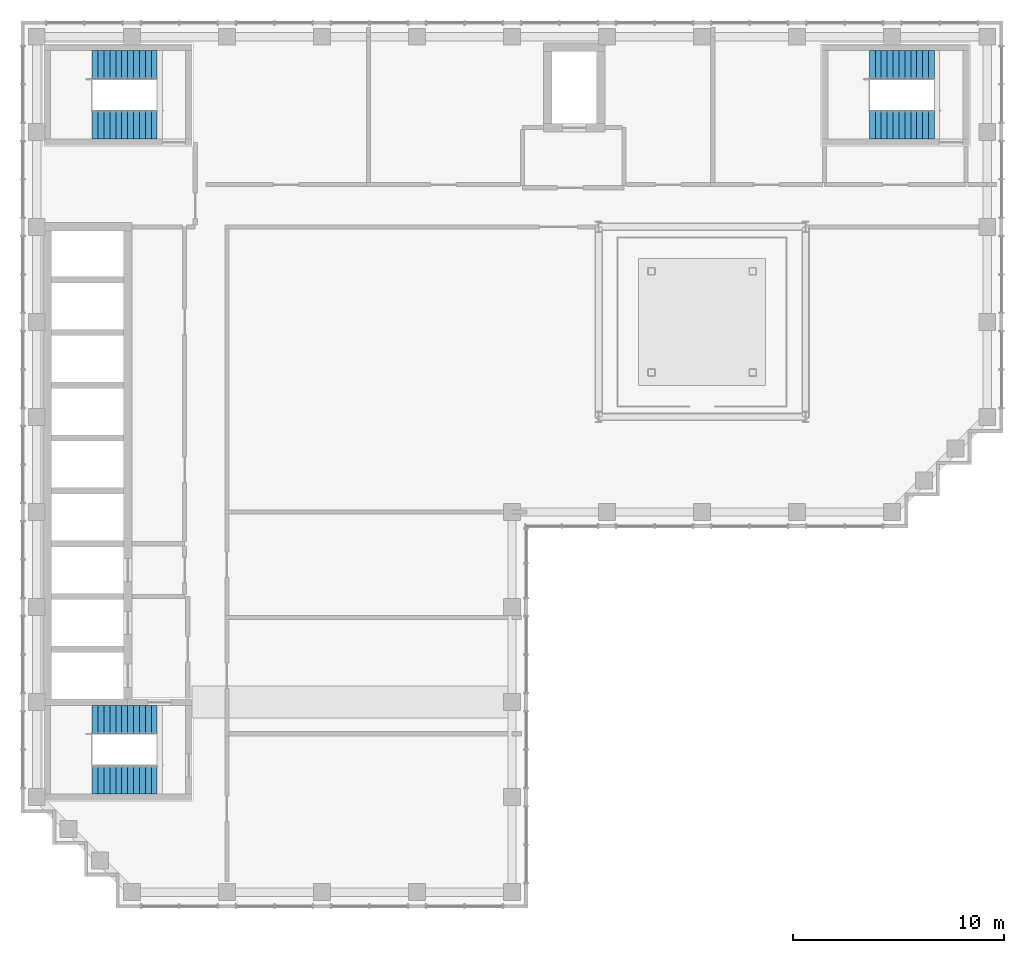
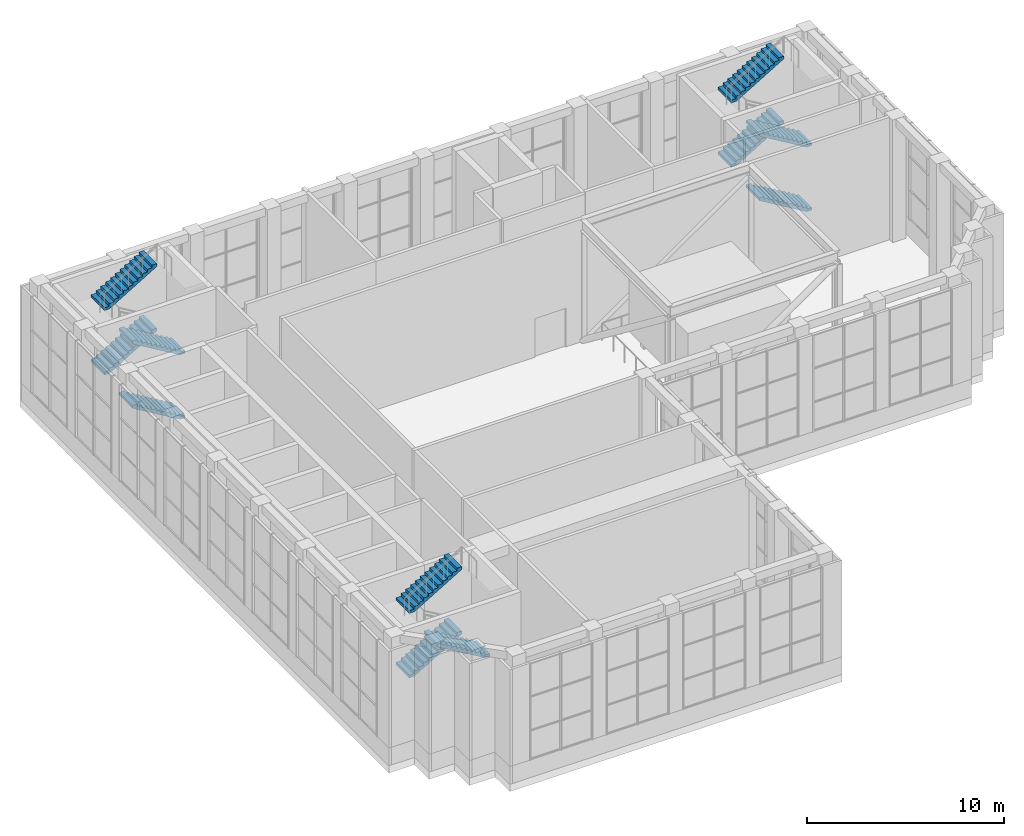
# One storey, part 15 of 17: 11 stair flights, 3 elements without a shape of their own.
"""IFC4 building model written with IfcOpenShell, lengths in metres."""

from ifc_helpers import new_model, si_unit, direction, frame, origin, place, context, subcontext, project, spatial, polyline, outline, extrude, material, type_object, element, aggregate, save


model = new_model("IFC4")

# Units and contexts
model_context = context("Model", 3, precision=1e-05, world=origin(), true_north=direction((0.0, 1.0)))
body_context = subcontext(model_context, "Body", "Model", "MODEL_VIEW")
ifc_project = project(units=[si_unit("LENGTHUNIT", "METRE"), si_unit("AREAUNIT", "SQUARE_METRE"), si_unit("VOLUMEUNIT", "CUBIC_METRE"), si_unit("PLANEANGLEUNIT", "RADIAN"), si_unit("MASSUNIT", "GRAM", prefix="KILO")], contexts=[model_context])

# Site, building, storey
site_placement = place(None, origin())
site = spatial("IfcSite", under=ifc_project, at=site_placement, CompositionType="ELEMENT")
building_placement = place(site_placement, origin())
building = spatial("IfcBuilding", under=site, at=building_placement, Name="Firuza Court", CompositionType="ELEMENT")
storey_placement = place(building_placement, frame((0.0, 0.0, 258.199951171875)))
storey = spatial("IfcBuildingStorey", under=building, at=storey_placement, Name="L67", CompositionType="ELEMENT", Elevation=258.199951171875)

# Stair, stair flights
ifc_material_1 = material(Name="Concrete C40/50 precast", Category="concrete")
stair_type = type_object("IfcStairType", Name="Stair 1350 x 8000 4 flights", PredefinedType="QUARTER_TURN_STAIR", material=ifc_material_1)
stair_1_placement = place(storey_placement, origin())
stair_1 = element("IfcStair", 1, at=stair_1_placement, inside=storey, type_object=stair_type, Name="Stair 1 L67", PredefinedType="QUARTER_TURN_STAIR")
ifc_material_2 = material(Name="Concrete C40/50 precast", Category="concrete")
stair_flight_type = type_object("IfcStairFlightType", Name="Flight 1350 riser 166.7", PredefinedType="STRAIGHT", material=ifc_material_2)
stair_flight_1_placement = place(storey_placement, frame((42.5, 54.324951171875, 0.0), z_axis=(0.0, 0.0, 1.0), x_axis=(-1.0, 0.0, 0.0)))
stair_flight_1 = element("IfcStairFlight", 2, at=stair_flight_1_placement, type_object=stair_flight_type, Name="S1 flight 1", NumberOfRisers=12, NumberOfTreads=11, PredefinedType="STRAIGHT", RiserHeight=0.166666667, TreadLength=0.28, context=body_context, shape_type="SweptSolid", body=[
    extrude(outline(polyline([(0.0, 0.0), (0.0, 0.166748046875), (0.280029296875, 0.166748046875), (0.280029296875, 0.333251953125), (0.56005859375, 0.333251953125), (0.56005859375, 0.5), (0.840087890625, 0.5), (0.840087890625, 0.666748046875), (1.1201171875, 0.666748046875), (1.1201171875, 0.833251953125), (1.39990234375, 0.833251953125), (1.39990234375, 1.0), (1.679931640625, 1.0), (1.679931640625, 1.166748046875), (1.9599609375, 1.166748046875), (1.9599609375, 1.333251953125), (2.239990234375, 1.333251953125), (2.239990234375, 1.5), (2.52001953125, 1.5), (2.52001953125, 1.666748046875), (2.800048828125, 1.666748046875), (2.800048828125, 1.833251953125), (3.080078125, 1.833251953125), (3.080078125, 2.0), (3.080078125, 1.658935546875), (0.29296875, 0.0), (0.0, 0.0)])), frame((0.0, 0.675048828125, 0.0), z_axis=(0.0, -1.0, 0.0), x_axis=(1.0, 0.0, 0.0)), (0.0, 0.0, 1.0), 1.35009765625),
])
stair_flight_2_placement = place(storey_placement, frame((39.419921875, 57.175048828125, 2.0), z_axis=(0.0, 0.0, 1.0), x_axis=(1.0, 0.0, 0.0)))
stair_flight_2 = element("IfcStairFlight", 3, at=stair_flight_2_placement, type_object=stair_flight_type, Name="S1 flight 2", NumberOfRisers=12, NumberOfTreads=11, PredefinedType="STRAIGHT", RiserHeight=0.166666667, TreadLength=0.28, context=body_context, shape_type="SweptSolid", body=[
    extrude(outline(polyline([(0.0, 0.0), (0.0, 0.166748046875), (0.280029296875, 0.166748046875), (0.280029296875, 0.333251953125), (0.56005859375, 0.333251953125), (0.56005859375, 0.5), (0.840087890625, 0.5), (0.840087890625, 0.666748046875), (1.1201171875, 0.666748046875), (1.1201171875, 0.833251953125), (1.39990234375, 0.833251953125), (1.39990234375, 1.0), (1.679931640625, 1.0), (1.679931640625, 1.166748046875), (1.9599609375, 1.166748046875), (1.9599609375, 1.333251953125), (2.239990234375, 1.333251953125), (2.239990234375, 1.5), (2.52001953125, 1.5), (2.52001953125, 1.666748046875), (2.800048828125, 1.666748046875), (2.800048828125, 1.833251953125), (3.080078125, 1.833251953125), (3.080078125, 2.0), (3.080078125, 1.658935546875), (0.29296875, 0.0), (0.0, 0.0)])), frame((0.0, 0.675048828125, 0.0), z_axis=(0.0, -1.0, 0.0), x_axis=(1.0, 0.0, 0.0)), (0.0, 0.0, 1.0), 1.35009765625),
])
stair_flight_3_placement = place(storey_placement, frame((42.5, 54.324951171875, 4.0), z_axis=(0.0, 0.0, 1.0), x_axis=(-1.0, 0.0, 0.0)))
stair_flight_3 = element("IfcStairFlight", 4, at=stair_flight_3_placement, type_object=stair_flight_type, Name="S1 flight 3", NumberOfRisers=12, NumberOfTreads=11, PredefinedType="STRAIGHT", RiserHeight=0.166666667, TreadLength=0.28, context=body_context, shape_type="SweptSolid", body=[
    extrude(outline(polyline([(0.0, 0.0), (0.0, 0.166748046875), (0.280029296875, 0.166748046875), (0.280029296875, 0.333251953125), (0.56005859375, 0.333251953125), (0.56005859375, 0.5), (0.840087890625, 0.5), (0.840087890625, 0.666748046875), (1.1201171875, 0.666748046875), (1.1201171875, 0.833251953125), (1.39990234375, 0.833251953125), (1.39990234375, 1.0), (1.679931640625, 1.0), (1.679931640625, 1.166748046875), (1.9599609375, 1.166748046875), (1.9599609375, 1.333251953125), (2.239990234375, 1.333251953125), (2.239990234375, 1.5), (2.52001953125, 1.5), (2.52001953125, 1.666748046875), (2.800048828125, 1.666748046875), (2.800048828125, 1.833251953125), (3.080078125, 1.833251953125), (3.080078125, 2.0), (3.080078125, 1.658935546875), (0.29296875, 0.0), (0.0, 0.0)])), frame((0.0, 0.675048828125, 0.0), z_axis=(0.0, -1.0, 0.0), x_axis=(1.0, 0.0, 0.0)), (0.0, 0.0, 1.0), 1.35009765625),
])
stair_flight_4_placement = place(storey_placement, frame((39.419921875, 57.175048828125, 6.0), z_axis=(0.0, 0.0, 1.0), x_axis=(1.0, 0.0, 0.0)))
stair_flight_4 = element("IfcStairFlight", 5, at=stair_flight_4_placement, type_object=stair_flight_type, Name="S1 flight 4", NumberOfRisers=12, NumberOfTreads=11, PredefinedType="STRAIGHT", RiserHeight=0.166666667, TreadLength=0.28, context=body_context, shape_type="SweptSolid", body=[
    extrude(outline(polyline([(0.0, 0.0), (0.0, 0.166748046875), (0.280029296875, 0.166748046875), (0.280029296875, 0.333251953125), (0.56005859375, 0.333251953125), (0.56005859375, 0.5), (0.840087890625, 0.5), (0.840087890625, 0.666748046875), (1.1201171875, 0.666748046875), (1.1201171875, 0.833251953125), (1.39990234375, 0.833251953125), (1.39990234375, 1.0), (1.679931640625, 1.0), (1.679931640625, 1.166748046875), (1.9599609375, 1.166748046875), (1.9599609375, 1.333251953125), (2.239990234375, 1.333251953125), (2.239990234375, 1.5), (2.52001953125, 1.5), (2.52001953125, 1.666748046875), (2.800048828125, 1.666748046875), (2.800048828125, 1.833251953125), (3.080078125, 1.833251953125), (3.080078125, 2.0), (3.080078125, 1.658935546875), (0.29296875, 0.0), (0.0, 0.0)])), frame((0.0, 0.675048828125, 0.0), z_axis=(0.0, -1.0, 0.0), x_axis=(1.0, 0.0, 0.0)), (0.0, 0.0, 1.0), 1.35009765625),
])
aggregate(stair_1, [stair_flight_1, stair_flight_2, stair_flight_3, stair_flight_4])

stair_2_placement = place(storey_placement, origin())
stair_2 = element("IfcStair", 6, at=stair_2_placement, inside=storey, type_object=stair_type, Name="Stair 2 L67", PredefinedType="QUARTER_TURN_STAIR")
stair_flight_5_placement = place(storey_placement, frame((2.6201171875, 26.175048828125, 2.0), z_axis=(0.0, 0.0, 1.0), x_axis=(1.0, 0.0, 0.0)))
stair_flight_5 = element("IfcStairFlight", 7, at=stair_flight_5_placement, type_object=stair_flight_type, Name="S2 flight 2", NumberOfRisers=12, NumberOfTreads=11, PredefinedType="STRAIGHT", RiserHeight=0.166666667, TreadLength=0.28, context=body_context, shape_type="SweptSolid", body=[
    extrude(outline(polyline([(0.0, 0.0), (0.0, 0.166748046875), (0.280029296875, 0.166748046875), (0.280029296875, 0.333251953125), (0.56005859375, 0.333251953125), (0.56005859375, 0.5), (0.840087890625, 0.5), (0.840087890625, 0.666748046875), (1.1201171875, 0.666748046875), (1.1201171875, 0.833251953125), (1.39990234375, 0.833251953125), (1.39990234375, 1.0), (1.679931640625, 1.0), (1.679931640625, 1.166748046875), (1.9599609375, 1.166748046875), (1.9599609375, 1.333251953125), (2.239990234375, 1.333251953125), (2.239990234375, 1.5), (2.52001953125, 1.5), (2.52001953125, 1.666748046875), (2.800048828125, 1.666748046875), (2.800048828125, 1.833251953125), (3.080078125, 1.833251953125), (3.080078125, 2.0), (3.080078125, 1.658935546875), (0.29296875, 0.0), (0.0, 0.0)])), frame((0.0, 0.675048828125, 0.0), z_axis=(0.0, -1.0, 0.0), x_axis=(1.0, 0.0, 0.0)), (0.0, 0.0, 1.0), 1.35009765625),
])
stair_flight_6_placement = place(storey_placement, frame((5.699951171875, 23.324951171875, 4.0), z_axis=(0.0, 0.0, 1.0), x_axis=(-1.0, 0.0, 0.0)))
stair_flight_6 = element("IfcStairFlight", 8, at=stair_flight_6_placement, type_object=stair_flight_type, Name="S2 flight 3", NumberOfRisers=12, NumberOfTreads=11, PredefinedType="STRAIGHT", RiserHeight=0.166666667, TreadLength=0.28, context=body_context, shape_type="SweptSolid", body=[
    extrude(outline(polyline([(0.0, 0.0), (0.0, 0.166748046875), (0.280029296875, 0.166748046875), (0.280029296875, 0.333251953125), (0.56005859375, 0.333251953125), (0.56005859375, 0.5), (0.840087890625, 0.5), (0.840087890625, 0.666748046875), (1.1201171875, 0.666748046875), (1.1201171875, 0.833251953125), (1.39990234375, 0.833251953125), (1.39990234375, 1.0), (1.679931640625, 1.0), (1.679931640625, 1.166748046875), (1.9599609375, 1.166748046875), (1.9599609375, 1.333251953125), (2.239990234375, 1.333251953125), (2.239990234375, 1.5), (2.52001953125, 1.5), (2.52001953125, 1.666748046875), (2.800048828125, 1.666748046875), (2.800048828125, 1.833251953125), (3.080078125, 1.833251953125), (3.080078125, 2.0), (3.080078125, 1.658935546875), (0.29296875, 0.0), (0.0, 0.0)])), frame((0.0, 0.675048828125, 0.0), z_axis=(0.0, -1.0, 0.0), x_axis=(1.0, 0.0, 0.0)), (0.0, 0.0, 1.0), 1.35009765625),
])
stair_flight_7_placement = place(storey_placement, frame((2.6201171875, 26.175048828125, 6.0), z_axis=(0.0, 0.0, 1.0), x_axis=(1.0, 0.0, 0.0)))
stair_flight_7 = element("IfcStairFlight", 9, at=stair_flight_7_placement, type_object=stair_flight_type, Name="S2 flight 4", NumberOfRisers=12, NumberOfTreads=11, PredefinedType="STRAIGHT", RiserHeight=0.166666667, TreadLength=0.28, context=body_context, shape_type="SweptSolid", body=[
    extrude(outline(polyline([(0.0, 0.0), (0.0, 0.166748046875), (0.280029296875, 0.166748046875), (0.280029296875, 0.333251953125), (0.56005859375, 0.333251953125), (0.56005859375, 0.5), (0.840087890625, 0.5), (0.840087890625, 0.666748046875), (1.1201171875, 0.666748046875), (1.1201171875, 0.833251953125), (1.39990234375, 0.833251953125), (1.39990234375, 1.0), (1.679931640625, 1.0), (1.679931640625, 1.166748046875), (1.9599609375, 1.166748046875), (1.9599609375, 1.333251953125), (2.239990234375, 1.333251953125), (2.239990234375, 1.5), (2.52001953125, 1.5), (2.52001953125, 1.666748046875), (2.800048828125, 1.666748046875), (2.800048828125, 1.833251953125), (3.080078125, 1.833251953125), (3.080078125, 2.0), (3.080078125, 1.658935546875), (0.29296875, 0.0), (0.0, 0.0)])), frame((0.0, 0.675048828125, 0.0), z_axis=(0.0, -1.0, 0.0), x_axis=(1.0, 0.0, 0.0)), (0.0, 0.0, 1.0), 1.35009765625),
])
aggregate(stair_2, [stair_flight_5, stair_flight_6, stair_flight_7])

stair_3_placement = place(storey_placement, origin())
stair_3 = element("IfcStair", 10, at=stair_3_placement, inside=storey, type_object=stair_type, Name="Stair 3 L67", PredefinedType="QUARTER_TURN_STAIR")
stair_flight_8_placement = place(storey_placement, frame((5.699951171875, 54.324951171875, 0.0), z_axis=(0.0, 0.0, 1.0), x_axis=(-1.0, 0.0, 0.0)))
stair_flight_8 = element("IfcStairFlight", 11, at=stair_flight_8_placement, type_object=stair_flight_type, Name="S3 flight 1", NumberOfRisers=12, NumberOfTreads=11, PredefinedType="STRAIGHT", RiserHeight=0.166666667, TreadLength=0.28, context=body_context, shape_type="SweptSolid", body=[
    extrude(outline(polyline([(0.0, 0.0), (0.0, 0.166748046875), (0.280029296875, 0.166748046875), (0.280029296875, 0.333251953125), (0.56005859375, 0.333251953125), (0.56005859375, 0.5), (0.840087890625, 0.5), (0.840087890625, 0.666748046875), (1.1201171875, 0.666748046875), (1.1201171875, 0.833251953125), (1.39990234375, 0.833251953125), (1.39990234375, 1.0), (1.679931640625, 1.0), (1.679931640625, 1.166748046875), (1.9599609375, 1.166748046875), (1.9599609375, 1.333251953125), (2.239990234375, 1.333251953125), (2.239990234375, 1.5), (2.52001953125, 1.5), (2.52001953125, 1.666748046875), (2.800048828125, 1.666748046875), (2.800048828125, 1.833251953125), (3.080078125, 1.833251953125), (3.080078125, 2.0), (3.080078125, 1.658935546875), (0.29296875, 0.0), (0.0, 0.0)])), frame((0.0, 0.675048828125, 0.0), z_axis=(0.0, -1.0, 0.0), x_axis=(1.0, 0.0, 0.0)), (0.0, 0.0, 1.0), 1.35009765625),
])
stair_flight_9_placement = place(storey_placement, frame((2.6201171875, 57.175048828125, 2.0), z_axis=(0.0, 0.0, 1.0), x_axis=(1.0, 0.0, 0.0)))
stair_flight_9 = element("IfcStairFlight", 12, at=stair_flight_9_placement, type_object=stair_flight_type, Name="S3 flight 2", NumberOfRisers=12, NumberOfTreads=11, PredefinedType="STRAIGHT", RiserHeight=0.166666667, TreadLength=0.28, context=body_context, shape_type="SweptSolid", body=[
    extrude(outline(polyline([(0.0, 0.0), (0.0, 0.166748046875), (0.280029296875, 0.166748046875), (0.280029296875, 0.333251953125), (0.56005859375, 0.333251953125), (0.56005859375, 0.5), (0.840087890625, 0.5), (0.840087890625, 0.666748046875), (1.1201171875, 0.666748046875), (1.1201171875, 0.833251953125), (1.39990234375, 0.833251953125), (1.39990234375, 1.0), (1.679931640625, 1.0), (1.679931640625, 1.166748046875), (1.9599609375, 1.166748046875), (1.9599609375, 1.333251953125), (2.239990234375, 1.333251953125), (2.239990234375, 1.5), (2.52001953125, 1.5), (2.52001953125, 1.666748046875), (2.800048828125, 1.666748046875), (2.800048828125, 1.833251953125), (3.080078125, 1.833251953125), (3.080078125, 2.0), (3.080078125, 1.658935546875), (0.29296875, 0.0), (0.0, 0.0)])), frame((0.0, 0.675048828125, 0.0), z_axis=(0.0, -1.0, 0.0), x_axis=(1.0, 0.0, 0.0)), (0.0, 0.0, 1.0), 1.35009765625),
])
stair_flight_10_placement = place(storey_placement, frame((5.699951171875, 54.324951171875, 4.0), z_axis=(0.0, 0.0, 1.0), x_axis=(-1.0, 0.0, 0.0)))
stair_flight_10 = element("IfcStairFlight", 13, at=stair_flight_10_placement, type_object=stair_flight_type, Name="S3 flight 3", NumberOfRisers=12, NumberOfTreads=11, PredefinedType="STRAIGHT", RiserHeight=0.166666667, TreadLength=0.28, context=body_context, shape_type="SweptSolid", body=[
    extrude(outline(polyline([(0.0, 0.0), (0.0, 0.166748046875), (0.280029296875, 0.166748046875), (0.280029296875, 0.333251953125), (0.56005859375, 0.333251953125), (0.56005859375, 0.5), (0.840087890625, 0.5), (0.840087890625, 0.666748046875), (1.1201171875, 0.666748046875), (1.1201171875, 0.833251953125), (1.39990234375, 0.833251953125), (1.39990234375, 1.0), (1.679931640625, 1.0), (1.679931640625, 1.166748046875), (1.9599609375, 1.166748046875), (1.9599609375, 1.333251953125), (2.239990234375, 1.333251953125), (2.239990234375, 1.5), (2.52001953125, 1.5), (2.52001953125, 1.666748046875), (2.800048828125, 1.666748046875), (2.800048828125, 1.833251953125), (3.080078125, 1.833251953125), (3.080078125, 2.0), (3.080078125, 1.658935546875), (0.29296875, 0.0), (0.0, 0.0)])), frame((0.0, 0.675048828125, 0.0), z_axis=(0.0, -1.0, 0.0), x_axis=(1.0, 0.0, 0.0)), (0.0, 0.0, 1.0), 1.35009765625),
])
stair_flight_11_placement = place(storey_placement, frame((2.6201171875, 57.175048828125, 6.0), z_axis=(0.0, 0.0, 1.0), x_axis=(1.0, 0.0, 0.0)))
stair_flight_11 = element("IfcStairFlight", 14, at=stair_flight_11_placement, type_object=stair_flight_type, Name="S3 flight 4", NumberOfRisers=12, NumberOfTreads=11, PredefinedType="STRAIGHT", RiserHeight=0.166666667, TreadLength=0.28, context=body_context, shape_type="SweptSolid", body=[
    extrude(outline(polyline([(0.0, 0.0), (0.0, 0.166748046875), (0.280029296875, 0.166748046875), (0.280029296875, 0.333251953125), (0.56005859375, 0.333251953125), (0.56005859375, 0.5), (0.840087890625, 0.5), (0.840087890625, 0.666748046875), (1.1201171875, 0.666748046875), (1.1201171875, 0.833251953125), (1.39990234375, 0.833251953125), (1.39990234375, 1.0), (1.679931640625, 1.0), (1.679931640625, 1.166748046875), (1.9599609375, 1.166748046875), (1.9599609375, 1.333251953125), (2.239990234375, 1.333251953125), (2.239990234375, 1.5), (2.52001953125, 1.5), (2.52001953125, 1.666748046875), (2.800048828125, 1.666748046875), (2.800048828125, 1.833251953125), (3.080078125, 1.833251953125), (3.080078125, 2.0), (3.080078125, 1.658935546875), (0.29296875, 0.0), (0.0, 0.0)])), frame((0.0, 0.675048828125, 0.0), z_axis=(0.0, -1.0, 0.0), x_axis=(1.0, 0.0, 0.0)), (0.0, 0.0, 1.0), 1.35009765625),
])
aggregate(stair_3, [stair_flight_8, stair_flight_9, stair_flight_10, stair_flight_11])

save(model, "model.ifc")
